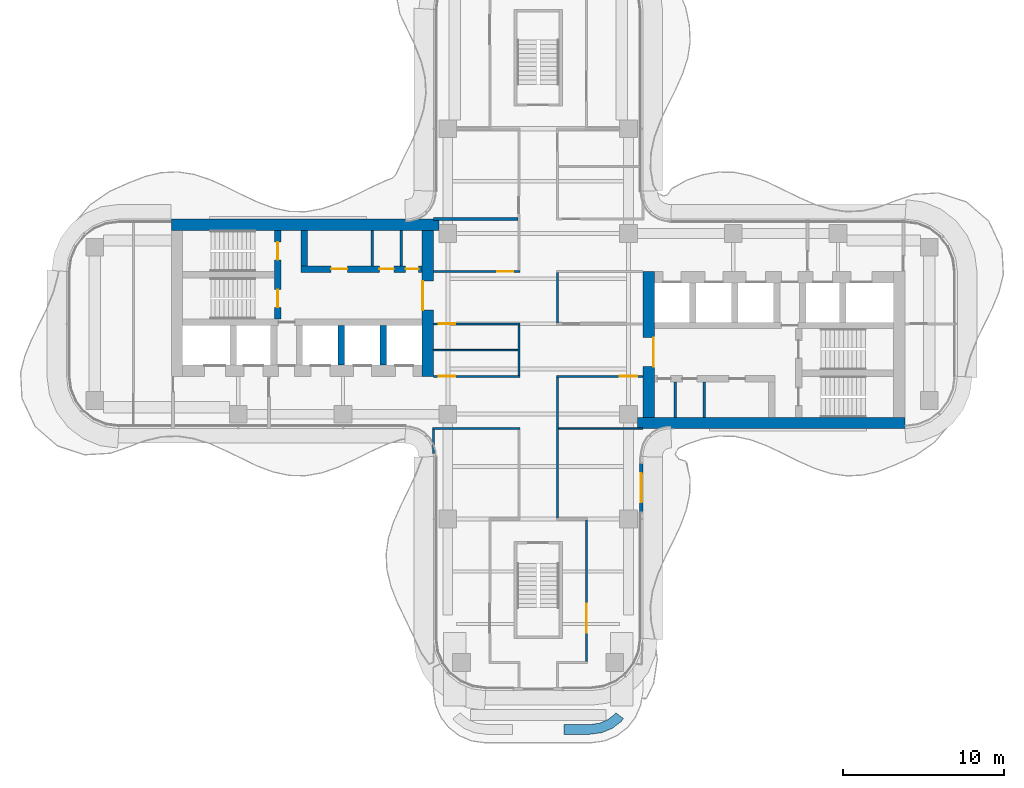
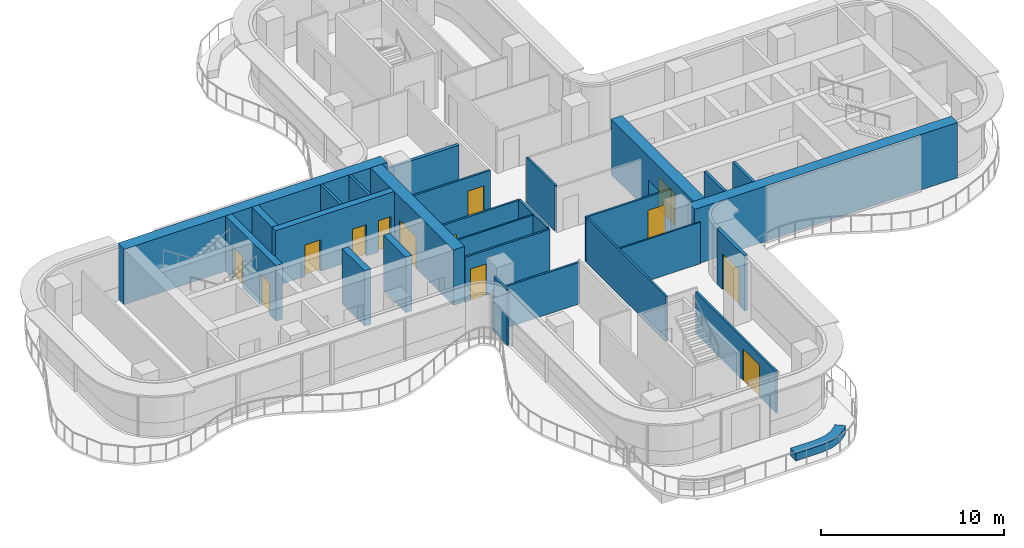
# One storey, part 13 of 17: 28 walls, 13 doors, 13 openings.
"""IFC4 building model written with IfcOpenShell, lengths in metres."""

from ifc_helpers import new_model, si_unit, direction, frame, frame_2d, origin, place, context, subcontext, project, spatial, polyline, rectangle, outline, extrude, source, transform, mapped, material, layer, layer_set, type_object, element, fill, save


model = new_model("IFC4")

# Units and contexts
model_context = context("Model", 3, precision=1e-05, world=origin(), true_north=direction((0.0, 1.0)))
body_context = subcontext(model_context, "Body", "Model", "MODEL_VIEW")
ifc_project = project(units=[si_unit("LENGTHUNIT", "METRE"), si_unit("AREAUNIT", "SQUARE_METRE"), si_unit("VOLUMEUNIT", "CUBIC_METRE"), si_unit("PLANEANGLEUNIT", "RADIAN"), si_unit("MASSUNIT", "GRAM", prefix="KILO")], contexts=[model_context])

# Site, building, storey
site_placement = place(None, origin())
site = spatial("IfcSite", under=ifc_project, at=site_placement, CompositionType="ELEMENT")
building_placement = place(site_placement, origin())
building = spatial("IfcBuilding", under=site, at=building_placement, Name="Trellis Farm Tower", CompositionType="ELEMENT")
storey_placement = place(building_placement, frame((0.0, 0.0, 244.10009765625)))
storey = spatial("IfcBuildingStorey", under=building, at=storey_placement, Name="L54", CompositionType="ELEMENT", Elevation=244.10009765625)

# Wall
ifc_material_1 = material(Name="Sandstone faced masonry planter", Category="masonry")
ifc_layer_1 = layer(ifc_material_1, 0.60009765625)
ifc_layer_set_1 = layer_set([ifc_layer_1], Name="PLANTER BED 600")
wall_type_1 = type_object("IfcWallType", Name="PLANTER BED 600", PredefinedType="USERDEFINED", material=ifc_layer_set_1)
wall_1_placement = place(storey_placement, origin())
element("IfcWall", 1, at=wall_1_placement, inside=storey, type_object=wall_type_1, Name="PLANTER bed", ObjectType="PLANTER", PredefinedType="USERDEFINED", context=body_context, shape_type="SweptSolid", body=[
    extrude(outline(polyline([(4.59765625, -25.084228515625), (3.947509765625, -25.353515625), (3.214111328125, -25.449951171875), (1.60009765625, -25.449951171875), (1.60009765625, -24.85009765625), (3.174560546875, -24.85009765625), (3.791015625, -24.768798828125), (4.294921875, -24.56005859375), (4.727783203125, -24.227783203125), (4.814697265625, -24.114990234375), (5.29052734375, -24.480224609375), (5.15576171875, -24.65576171875), (4.59765625, -25.084228515625)])), origin(), (0.0, 0.0, 1.0), 0.5),
])

# Wall, opening, door
ifc_material_2 = material(Name="Concrete C60/75", Category="concrete")
ifc_layer_2 = layer(ifc_material_2, 0.699951171875)
ifc_layer_set_2 = layer_set([ifc_layer_2], Name="CORE OUTER WALL 700 CONCRETE C60/75")
wall_type_2 = type_object("IfcWallType", Name="CORE OUTER WALL 700 CONCRETE C60/75", PredefinedType="SHEAR", material=ifc_layer_set_2)
shared_shape_1 = source(origin(), body_context, "Body", "SweptSolid", [
    extrude(rectangle(XDim=9.050048828125, YDim=0.699951171875, at=frame_2d((4.52490234375, 0.0))), origin(), (0.0, 0.0, 1.0), 3.699951171875),
])
wall_2_placement = place(storey_placement, frame((6.85009765625, -5.800048828125, 0.0), z_axis=(0.0, 0.0, 1.0), x_axis=(0.0, 1.0, 0.0)))
wall_2 = element("IfcWall", 2, at=wall_2_placement, inside=storey, type_object=wall_type_2, Name="Core wall", PredefinedType="SHEAR", context=body_context, shape_type="MappedRepresentation", body=[
    mapped(shared_shape_1, transform((0.0, 0.0, 0.0))),
])
shared_shape_2 = source(origin(), body_context, "Body", "SweptSolid", [
    extrude(rectangle(XDim=1.800048828125, YDim=2.10009765625, at=frame_2d((0.89990234375, 1.050048828125))), frame((0.0, 0.360107421875, 0.0), z_axis=(0.0, -1.0, 0.0), x_axis=(1.0, 0.0, 0.0)), (0.0, 0.0, 1.0), 0.72021484375),
])
opening_1_placement = place(wall_2_placement, frame((3.14990234375, 0.0, 0.0)))
opening_1 = element("IfcOpeningElement", 3, at=opening_1_placement, cuts=wall_2, Name="Opening DC1", PredefinedType="OPENING", context=body_context, shape_type="MappedRepresentation", body=[
    mapped(shared_shape_2, transform((0.0, 0.0, 0.0))),
])
ifc_material_3 = material(Name="Steel", Category="steel")
door_type_1 = type_object("IfcDoorType", Name="CORE FIRE DOOR DOUBLE 1800 X 2100", OperationType="DOUBLE_DOOR_SINGLE_SWING", PredefinedType="DOOR", material=ifc_material_3)
shared_shape_3 = source(origin(), body_context, "Body", "SweptSolid", [
    extrude(rectangle(XDim=1.800048828125, YDim=2.10009765625, at=frame_2d((0.89990234375, 1.050048828125))), frame((0.0, -0.27490234375, 0.0), z_axis=(0.0, -1.0, 0.0), x_axis=(1.0, 0.0, 0.0)), (0.0, 0.0, 1.0), 0.050048828125),
])
door_1_placement = place(opening_1_placement, origin())
door_1 = element("IfcDoor", 4, at=door_1_placement, inside=storey, type_object=door_type_1, Name="Core door", OperationType="DOUBLE_DOOR_SINGLE_SWING", OverallHeight=2.10009765625, OverallWidth=1.800048828125, PredefinedType="DOOR", context=body_context, shape_type="MappedRepresentation", body=[
    mapped(shared_shape_3, transform((0.0, 0.0, 0.0))),
])
fill(opening_1, door_1)

wall_3_placement = place(storey_placement, frame((-6.85009765625, 5.800048828125, 0.0), z_axis=(0.0, 0.0, 1.0), x_axis=(0.0, -1.0, 0.0)))
wall_3 = element("IfcWall", 5, at=wall_3_placement, inside=storey, type_object=wall_type_2, Name="Core wall", PredefinedType="SHEAR", context=body_context, shape_type="MappedRepresentation", body=[
    mapped(shared_shape_1, transform((0.0, 0.0, 0.0))),
])
opening_2_placement = place(wall_3_placement, frame((3.14990234375, 0.0, 0.0)))
opening_2 = element("IfcOpeningElement", 6, at=opening_2_placement, cuts=wall_3, Name="Opening DC87", PredefinedType="OPENING", context=body_context, shape_type="MappedRepresentation", body=[
    mapped(shared_shape_2, transform((0.0, 0.0, 0.0))),
])
door_2_placement = place(opening_2_placement, origin())
door_2 = element("IfcDoor", 7, at=door_2_placement, inside=storey, type_object=door_type_1, Name="Core door", OperationType="DOUBLE_DOOR_SINGLE_SWING", OverallHeight=2.10009765625, OverallWidth=1.800048828125, PredefinedType="DOOR", context=body_context, shape_type="MappedRepresentation", body=[
    mapped(shared_shape_3, transform((0.0, 0.0, 0.0))),
])
fill(opening_2, door_2)

# Walls
ifc_layer_3 = layer(ifc_material_2, 0.39990234375)
ifc_layer_set_3 = layer_set([ifc_layer_3], Name="CORE INNER WALL 400 CONCRETE C60/75")
wall_type_3 = type_object("IfcWallType", Name="CORE INNER WALL 400 CONCRETE C60/75", PredefinedType="SHEAR", material=ifc_layer_set_3)
shared_shape_4 = source(origin(), body_context, "Body", "SweptSolid", [
    extrude(rectangle(XDim=2.449951171875, YDim=0.39990234375, at=frame_2d((1.22509765625, 0.0))), origin(), (0.0, 0.0, 1.0), 3.699951171875),
])
for number, where, z_axis, x_axis, name in (
    (8, (-9.60009765625, -0.10009765625, 0.0), (0.0, 0.0, 1.0), (0.0, -1.0, 0.0), "Core wall"),
    (9, (-12.199951171875, -0.10009765625, 0.0), (0.0, 0.0, 1.0), (0.0, -1.0, 0.0), "Core wall"),
):
    element("IfcWall", number, at=place(storey_placement, frame(where, z_axis=z_axis, x_axis=x_axis)), inside=storey, type_object=wall_type_3, Name=name, PredefinedType="SHEAR", context=body_context, shape_type="MappedRepresentation", body=[
        mapped(shared_shape_4, transform((0.0, 0.0, 0.0))),
    ])

# Wall, openings, doors
shared_shape_5 = source(origin(), body_context, "Body", "SweptSolid", [
    extrude(rectangle(XDim=7.5, YDim=0.39990234375, at=frame_2d((3.75, 0.0))), origin(), (0.0, 0.0, 1.0), 3.699951171875),
])
wall_4_placement = place(storey_placement, frame((-7.199951171875, 3.39990234375, 0.0), z_axis=(0.0, 0.0, 1.0), x_axis=(-1.0, 0.0, 0.0)))
wall_4 = element("IfcWall", 10, at=wall_4_placement, inside=storey, type_object=wall_type_3, Name="Core wall", PredefinedType="SHEAR", context=body_context, shape_type="MappedRepresentation", body=[
    mapped(shared_shape_5, transform((0.0, 0.0, 0.0))),
])
shared_shape_6 = source(origin(), body_context, "Body", "SweptSolid", [
    extrude(rectangle(XDim=0.800048828125, YDim=2.10009765625, at=frame_2d((0.39990234375, 1.050048828125))), frame((0.0, 0.2099609375, 0.0), z_axis=(0.0, -1.0, 0.0), x_axis=(1.0, 0.0, 0.0)), (0.0, 0.0, 1.0), 0.419921875),
])
opening_3_placement = place(wall_4_placement, frame((0.21240234375, 0.0, 0.0)))
opening_3 = element("IfcOpeningElement", 11, at=opening_3_placement, cuts=wall_4, Name="Opening DC137", PredefinedType="OPENING", context=body_context, shape_type="MappedRepresentation", body=[
    mapped(shared_shape_6, transform((0.0, 0.0, 0.0))),
])
shared_shape_7 = source(origin(), body_context, "Body", "SweptSolid", [
    extrude(rectangle(XDim=0.89990234375, YDim=2.10009765625, at=frame_2d((0.449951171875, 1.050048828125))), frame((0.0, 0.2099609375, 0.0), z_axis=(0.0, -1.0, 0.0), x_axis=(1.0, 0.0, 0.0)), (0.0, 0.0, 1.0), 0.419921875),
])
opening_4_placement = place(wall_4_placement, frame((1.75, 0.0, 0.0)))
opening_4 = element("IfcOpeningElement", 12, at=opening_4_placement, cuts=wall_4, Name="Opening DC146", PredefinedType="OPENING", context=body_context, shape_type="MappedRepresentation", body=[
    mapped(shared_shape_7, transform((0.0, 0.0, 0.0))),
])
shared_shape_8 = source(origin(), body_context, "Body", "SweptSolid", [
    extrude(rectangle(XDim=1.0, YDim=2.10009765625, at=frame_2d((0.5, 1.050048828125))), frame((0.0, 0.2099609375, 0.0), z_axis=(0.0, -1.0, 0.0), x_axis=(1.0, 0.0, 0.0)), (0.0, 0.0, 1.0), 0.419921875),
])
opening_5_placement = place(wall_4_placement, frame((4.637451171875, 0.0, 0.0)))
opening_5 = element("IfcOpeningElement", 13, at=opening_5_placement, cuts=wall_4, Name="Opening DC153", PredefinedType="OPENING", context=body_context, shape_type="MappedRepresentation", body=[
    mapped(shared_shape_8, transform((0.0, 0.0, 0.0))),
])
door_type_2 = type_object("IfcDoorType", Name="CORE FIRE DOOR 1000 X 2100", OperationType="NOTDEFINED", PredefinedType="DOOR", material=ifc_material_3)
shared_shape_9 = source(origin(), body_context, "Body", "SweptSolid", [
    extrude(rectangle(XDim=1.0, YDim=2.10009765625, at=frame_2d((0.5, 1.050048828125))), frame((0.0, 0.02490234375, 0.0), z_axis=(0.0, -1.0, 0.0), x_axis=(1.0, 0.0, 0.0)), (0.0, 0.0, 1.0), 0.050048828125),
])
door_3_placement = place(opening_5_placement, origin())
door_3 = element("IfcDoor", 14, at=door_3_placement, inside=storey, type_object=door_type_2, Name="Core door", OperationType="SINGLE_SWING_LEFT", OverallHeight=2.10009765625, OverallWidth=1.0, PredefinedType="DOOR", context=body_context, shape_type="MappedRepresentation", body=[
    mapped(shared_shape_9, transform((0.0, 0.0, 0.0))),
])
fill(opening_5, door_3)
door_type_3 = type_object("IfcDoorType", Name="CORE FIRE DOOR 900 X 2100", OperationType="NOTDEFINED", PredefinedType="DOOR", material=ifc_material_3)
shared_shape_10 = source(origin(), body_context, "Body", "SweptSolid", [
    extrude(rectangle(XDim=0.89990234375, YDim=2.10009765625, at=frame_2d((0.449951171875, 1.050048828125))), frame((0.0, 0.02490234375, 0.0), z_axis=(0.0, -1.0, 0.0), x_axis=(1.0, 0.0, 0.0)), (0.0, 0.0, 1.0), 0.050048828125),
])
door_4_placement = place(opening_4_placement, origin())
door_4 = element("IfcDoor", 15, at=door_4_placement, inside=storey, type_object=door_type_3, Name="Core door", OperationType="SINGLE_SWING_RIGHT", OverallHeight=2.10009765625, OverallWidth=0.89990234375, PredefinedType="DOOR", context=body_context, shape_type="MappedRepresentation", body=[
    mapped(shared_shape_10, transform((0.0, 0.0, 0.0))),
])
fill(opening_4, door_4)
door_type_4 = type_object("IfcDoorType", Name="CORE FIRE DOOR 800 X 2100", OperationType="NOTDEFINED", PredefinedType="DOOR", material=ifc_material_3)
shared_shape_11 = source(origin(), body_context, "Body", "SweptSolid", [
    extrude(rectangle(XDim=0.800048828125, YDim=2.10009765625, at=frame_2d((0.39990234375, 1.050048828125))), frame((0.0, 0.02490234375, 0.0), z_axis=(0.0, -1.0, 0.0), x_axis=(1.0, 0.0, 0.0)), (0.0, 0.0, 1.0), 0.050048828125),
])
door_5_placement = place(opening_3_placement, origin())
door_5 = element("IfcDoor", 16, at=door_5_placement, inside=storey, type_object=door_type_4, Name="Core door", OperationType="SINGLE_SWING_LEFT", OverallHeight=2.10009765625, OverallWidth=0.800048828125, PredefinedType="DOOR", context=body_context, shape_type="MappedRepresentation", body=[
    mapped(shared_shape_11, transform((0.0, 0.0, 0.0))),
])
fill(opening_3, door_5)

shared_shape_12 = source(origin(), body_context, "Body", "SweptSolid", [
    extrude(rectangle(XDim=5.5, YDim=0.39990234375, at=frame_2d((2.75, 0.0))), origin(), (0.0, 0.0, 1.0), 3.699951171875),
])
wall_5_placement = place(storey_placement, frame((-16.14990234375, 5.800048828125, 0.0), z_axis=(0.0, 0.0, 1.0), x_axis=(0.0, -1.0, 0.0)))
wall_5 = element("IfcWall", 17, at=wall_5_placement, inside=storey, type_object=wall_type_3, Name="Core wall", PredefinedType="SHEAR", context=body_context, shape_type="MappedRepresentation", body=[
    mapped(shared_shape_12, transform((0.0, 0.0, 0.0))),
])
shared_shape_13 = source(origin(), body_context, "Body", "SweptSolid", [
    extrude(rectangle(XDim=1.10009765625, YDim=2.10009765625, at=frame_2d((0.550048828125, 1.050048828125))), frame((0.0, 0.2099609375, 0.0), z_axis=(0.0, -1.0, 0.0), x_axis=(1.0, 0.0, 0.0)), (0.0, 0.0, 1.0), 0.419921875),
])
opening_6_placement = place(wall_5_placement, frame((0.72509765625, 0.0, 0.0)))
opening_6 = element("IfcOpeningElement", 18, at=opening_6_placement, cuts=wall_5, Name="Opening DC88", PredefinedType="OPENING", context=body_context, shape_type="MappedRepresentation", body=[
    mapped(shared_shape_13, transform((0.0, 0.0, 0.0))),
])
opening_7_placement = place(wall_5_placement, frame((3.675048828125, 0.0, 0.0)))
opening_7 = element("IfcOpeningElement", 19, at=opening_7_placement, cuts=wall_5, Name="Opening DC89", PredefinedType="OPENING", context=body_context, shape_type="MappedRepresentation", body=[
    mapped(shared_shape_13, transform((0.0, 0.0, 0.0))),
])
door_type_5 = type_object("IfcDoorType", Name="CORE FIRE DOOR 1100 X 2100", OperationType="NOTDEFINED", PredefinedType="DOOR", material=ifc_material_3)
shared_shape_14 = source(origin(), body_context, "Body", "SweptSolid", [
    extrude(rectangle(XDim=1.10009765625, YDim=2.10009765625, at=frame_2d((0.550048828125, 1.050048828125))), frame((0.0, 0.02490234375, 0.0), z_axis=(0.0, -1.0, 0.0), x_axis=(1.0, 0.0, 0.0)), (0.0, 0.0, 1.0), 0.050048828125),
])
door_6_placement = place(opening_6_placement, origin())
door_6 = element("IfcDoor", 20, at=door_6_placement, inside=storey, type_object=door_type_5, Name="Core door", OperationType="SINGLE_SWING_RIGHT", OverallHeight=2.10009765625, OverallWidth=1.10009765625, PredefinedType="DOOR", context=body_context, shape_type="MappedRepresentation", body=[
    mapped(shared_shape_14, transform((0.0, 0.0, 0.0))),
])
fill(opening_6, door_6)
door_7_placement = place(opening_7_placement, origin())
door_7 = element("IfcDoor", 21, at=door_7_placement, inside=storey, type_object=door_type_5, Name="Core door", OperationType="SINGLE_SWING_LEFT", OverallHeight=2.10009765625, OverallWidth=1.10009765625, PredefinedType="DOOR", context=body_context, shape_type="MappedRepresentation", body=[
    mapped(shared_shape_14, transform((0.0, 0.0, 0.0))),
])
fill(opening_7, door_7)

# Walls
shared_shape_15 = source(origin(), body_context, "Body", "SweptSolid", [
    extrude(rectangle(XDim=2.199951171875, YDim=0.39990234375, at=frame_2d((1.10009765625, 0.0))), origin(), (0.0, 0.0, 1.0), 3.699951171875),
])
wall_6_placement = place(storey_placement, frame((-14.5, 5.800048828125, 0.0), z_axis=(0.0, 0.0, 1.0), x_axis=(0.0, -1.0, 0.0)))
element("IfcWall", 22, at=wall_6_placement, inside=storey, type_object=wall_type_3, Name="Core wall", PredefinedType="SHEAR", context=body_context, shape_type="MappedRepresentation", body=[
    mapped(shared_shape_15, transform((0.0, 0.0, 0.0))),
])
ifc_material_4 = material(Name="Masonry blockwork", Category="masonry")
ifc_layer_4 = layer(ifc_material_4, 0.14990234375)
ifc_layer_set_4 = layer_set([ifc_layer_4], Name="CORE PARTITION 150 BLOCKWORK")
wall_type_4 = type_object("IfcWallType", Name="CORE PARTITION 150 BLOCKWORK", PredefinedType="PARTITIONING", material=ifc_layer_set_4)
shared_shape_16 = source(origin(), body_context, "Body", "SweptSolid", [
    extrude(rectangle(XDim=2.199951171875, YDim=0.14990234375, at=frame_2d((1.10009765625, 0.0))), origin(), (0.0, 0.0, 1.0), 3.699951171875),
])
for number, where, z_axis, x_axis, name in (
    (23, (8.5, -5.800048828125, 0.0), (0.0, 0.0, 1.0), (0.0, 1.0, 0.0), "Core room partition"),
    (24, (10.300048828125, -5.800048828125, 0.0), (0.0, 0.0, 1.0), (0.0, 1.0, 0.0), "Core room partition"),
    (25, (-8.5, 5.800048828125, 0.0), (0.0, 0.0, 1.0), (0.0, -1.0, 0.0), "Core room partition"),
    (26, (-10.300048828125, 5.800048828125, 0.0), (0.0, 0.0, 1.0), (0.0, -1.0, 0.0), "Core room partition"),
):
    element("IfcWall", number, at=place(storey_placement, frame(where, z_axis=z_axis, x_axis=x_axis)), inside=storey, type_object=wall_type_4, Name=name, PredefinedType="PARTITIONING", context=body_context, shape_type="MappedRepresentation", body=[
        mapped(shared_shape_16, transform((0.0, 0.0, 0.0))),
    ])
shared_shape_17 = source(origin(), body_context, "Body", "SweptSolid", [
    extrude(rectangle(XDim=16.60009765625, YDim=0.699951171875, at=frame_2d((8.300048828125, 0.0))), origin(), (0.0, 0.0, 1.0), 3.699951171875),
])
for number, where, z_axis, x_axis, name in (
    (27, (6.14990234375, -6.14990234375, 0.0), (0.0, 0.0, 1.0), (1.0, 0.0, 0.0), "Core wall"),
    (28, (-6.14990234375, 6.14990234375, 0.0), (0.0, 0.0, 1.0), (-1.0, 0.0, 0.0), "Core wall"),
):
    element("IfcWall", number, at=place(storey_placement, frame(where, z_axis=z_axis, x_axis=x_axis)), inside=storey, type_object=wall_type_2, Name=name, PredefinedType="SHEAR", context=body_context, shape_type="MappedRepresentation", body=[
        mapped(shared_shape_17, transform((0.0, 0.0, 0.0))),
    ])

# Wall, opening, door
ifc_material_5 = material(Name="Sandstone faced insulated wall", Category="masonry")
ifc_layer_5 = layer(ifc_material_5, 0.199951171875)
ifc_layer_set_5 = layer_set([ifc_layer_5], Name="EXTERNAL INFILL WALL 200")
wall_type_5 = type_object("IfcWallType", Name="EXTERNAL INFILL WALL 200", PredefinedType="SOLIDWALL", material=ifc_layer_set_5)
shared_shape_18 = source(origin(), body_context, "Body", "SweptSolid", [
    extrude(rectangle(XDim=3.0, YDim=0.199951171875, at=frame_2d((1.5, 0.0))), origin(), (0.0, 0.0, 1.0), 3.699951171875),
])
wall_7_placement = place(storey_placement, frame((6.39990234375, -11.665771484375, 0.0), z_axis=(0.0, 0.0, 1.0), x_axis=(0.0, 1.0, 0.0)))
wall_7 = element("IfcWall", 29, at=wall_7_placement, inside=storey, type_object=wall_type_5, Name="EW1 02", PredefinedType="SOLIDWALL", context=body_context, shape_type="MappedRepresentation", body=[
    mapped(shared_shape_18, transform((0.0, 0.0, 0.0))),
])
shared_shape_19 = source(origin(), body_context, "Body", "SweptSolid", [
    extrude(rectangle(XDim=1.800048828125, YDim=2.39990234375, at=frame_2d((0.89990234375, 1.199951171875))), frame((0.0, 0.110107421875, 0.0), z_axis=(0.0, -1.0, 0.0), x_axis=(1.0, 0.0, 0.0)), (0.0, 0.0, 1.0), 0.22021484375),
])
opening_8_placement = place(wall_7_placement, frame((0.60009765625, 0.0, 0.0)))
opening_8 = element("IfcOpeningElement", 30, at=opening_8_placement, cuts=wall_7, Name="Opening ED1", PredefinedType="OPENING", context=body_context, shape_type="MappedRepresentation", body=[
    mapped(shared_shape_19, transform((0.0, 0.0, 0.0))),
])
ifc_material_6 = material(Name="Aluminium framed glazed door", Category="aluminium")
door_type_6 = type_object("IfcDoorType", Name="BALCONY DOOR 1800x2400", OperationType="DOUBLE_DOOR_SINGLE_SWING", PredefinedType="DOOR", material=ifc_material_6)
shared_shape_20 = source(origin(), body_context, "Body", "SweptSolid", [
    extrude(rectangle(XDim=1.800048828125, YDim=2.39990234375, at=frame_2d((0.89990234375, 1.199951171875))), frame((0.0, 0.02490234375, 0.0), z_axis=(0.0, -1.0, 0.0), x_axis=(1.0, 0.0, 0.0)), (0.0, 0.0, 1.0), 0.050048828125),
])
door_8_placement = place(opening_8_placement, origin())
door_8 = element("IfcDoor", 31, at=door_8_placement, inside=storey, type_object=door_type_6, Name="Balcony door", OperationType="DOUBLE_DOOR_SINGLE_SWING", OverallHeight=2.39990234375, OverallWidth=1.800048828125, PredefinedType="DOOR", context=body_context, shape_type="MappedRepresentation", body=[
    mapped(shared_shape_20, transform((0.0, 0.0, 0.0))),
])
fill(opening_8, door_8)

# Wall
ifc_material_7 = material(Name="Plasterboard on steel studs, mineral wool", Category="steel")
ifc_layer_6 = layer(ifc_material_7, 0.125)
ifc_layer_set_6 = layer_set([ifc_layer_6], Name="PARTITION 125 STUD EI 60")
wall_type_6 = type_object("IfcWallType", Name="PARTITION 125 STUD EI 60", PredefinedType="PARTITIONING", material=ifc_layer_set_6)
shared_shape_21 = source(origin(), body_context, "Body", "SweptSolid", [
    extrude(rectangle(XDim=1.468994140625, YDim=0.125, at=frame_2d((0.734375, 0.0))), origin(), (0.0, 0.0, 1.0), 3.699951171875),
])
wall_8_placement = place(storey_placement, frame((-6.5, -6.5625, 0.0), z_axis=(0.0, 0.0, 1.0), x_axis=(0.0, -1.0, 0.0)))
element("IfcWall", 32, at=wall_8_placement, inside=storey, type_object=wall_type_6, Name="Partition PW1", PredefinedType="PARTITIONING", context=body_context, shape_type="MappedRepresentation", body=[
    mapped(shared_shape_21, transform((0.0, 0.0, 0.0))),
])

# Wall, opening, door
shared_shape_22 = source(origin(), body_context, "Body", "SweptSolid", [
    extrude(rectangle(XDim=5.362548828125, YDim=0.125, at=frame_2d((2.68115234375, 0.0))), origin(), (0.0, 0.0, 1.0), 2.99658203125),
])
wall_9_placement = place(storey_placement, frame((-1.137451171875, -3.25, 0.0), z_axis=(0.0, 0.0, 1.0), x_axis=(-1.0, 0.0, 0.0)))
wall_9 = element("IfcWall", 33, at=wall_9_placement, inside=storey, type_object=wall_type_6, Name="Partition PW1", PredefinedType="PARTITIONING", context=body_context, shape_type="MappedRepresentation", body=[
    mapped(shared_shape_22, transform((0.0, 0.0, 0.0))),
])
shared_shape_23 = source(origin(), body_context, "Body", "SweptSolid", [
    extrude(rectangle(XDim=1.0, YDim=2.10009765625, at=frame_2d((0.5, 1.050048828125))), frame((0.0, 0.072509765625, 0.0), z_axis=(0.0, -1.0, 0.0), x_axis=(1.0, 0.0, 0.0)), (0.0, 0.0, 1.0), 0.14501953125),
])
opening_9_placement = place(wall_9_placement, frame((4.012451171875, 0.0, 0.0)))
opening_9 = element("IfcOpeningElement", 34, at=opening_9_placement, cuts=wall_9, Name="Opening D101", PredefinedType="OPENING", context=body_context, shape_type="MappedRepresentation", body=[
    mapped(shared_shape_23, transform((0.0, 0.0, 0.0))),
])
ifc_material_8 = material(Name="Fire-rated timber door leaf in a hollow metal frame", Category="wood")
door_type_7 = type_object("IfcDoorType", Name="DOOR 1000x2100 FD30S", OperationType="NOTDEFINED", PredefinedType="DOOR", material=ifc_material_8)
door_9_placement = place(opening_9_placement, origin())
door_9 = element("IfcDoor", 35, at=door_9_placement, inside=storey, type_object=door_type_7, Name="Door D101", OperationType="SINGLE_SWING_RIGHT", OverallHeight=2.10009765625, OverallWidth=1.0, PredefinedType="DOOR", context=body_context, shape_type="MappedRepresentation", body=[
    mapped(shared_shape_9, transform((0.0, 0.0, 0.0))),
])
fill(opening_9, door_9)

wall_10_placement = place(storey_placement, frame((6.5, -3.25, 0.0), z_axis=(0.0, 0.0, 1.0), x_axis=(-1.0, 0.0, 0.0)))
wall_10 = element("IfcWall", 36, at=wall_10_placement, inside=storey, type_object=wall_type_6, Name="Partition PW1", PredefinedType="PARTITIONING", context=body_context, shape_type="MappedRepresentation", body=[
    mapped(shared_shape_22, transform((0.0, 0.0, 0.0))),
])
shared_shape_24 = source(origin(), body_context, "Body", "SweptSolid", [
    extrude(rectangle(XDim=1.10009765625, YDim=2.10009765625, at=frame_2d((0.550048828125, 1.050048828125))), frame((0.0, 0.072509765625, 0.0), z_axis=(0.0, -1.0, 0.0), x_axis=(1.0, 0.0, 0.0)), (0.0, 0.0, 1.0), 0.14501953125),
])
opening_10_placement = place(wall_10_placement, frame((0.35009765625, 0.0, 0.0)))
opening_10 = element("IfcOpeningElement", 37, at=opening_10_placement, cuts=wall_10, Name="Opening D501", PredefinedType="OPENING", context=body_context, shape_type="MappedRepresentation", body=[
    mapped(shared_shape_24, transform((0.0, 0.0, 0.0))),
])
door_type_8 = type_object("IfcDoorType", Name="DOOR 1100x2100 FD30S", OperationType="NOTDEFINED", PredefinedType="DOOR", material=ifc_material_8)
door_10_placement = place(opening_10_placement, origin())
door_10 = element("IfcDoor", 38, at=door_10_placement, inside=storey, type_object=door_type_8, Name="Door D501", OperationType="SINGLE_SWING_LEFT", OverallHeight=2.10009765625, OverallWidth=1.10009765625, PredefinedType="DOOR", context=body_context, shape_type="MappedRepresentation", body=[
    mapped(shared_shape_14, transform((0.0, 0.0, 0.0))),
])
fill(opening_10, door_10)

wall_11_placement = place(storey_placement, frame((-1.137451171875, 0.0, 0.0), z_axis=(0.0, 0.0, 1.0), x_axis=(-1.0, 0.0, 0.0)))
wall_11 = element("IfcWall", 39, at=wall_11_placement, inside=storey, type_object=wall_type_6, Name="Partition PW1", PredefinedType="PARTITIONING", context=body_context, shape_type="MappedRepresentation", body=[
    mapped(shared_shape_22, transform((0.0, 0.0, 0.0))),
])
opening_11_placement = place(wall_11_placement, frame((4.012451171875, 0.0, 0.0)))
opening_11 = element("IfcOpeningElement", 40, at=opening_11_placement, cuts=wall_11, Name="Opening D102", PredefinedType="OPENING", context=body_context, shape_type="MappedRepresentation", body=[
    mapped(shared_shape_23, transform((0.0, 0.0, 0.0))),
])
door_11_placement = place(opening_11_placement, origin())
door_11 = element("IfcDoor", 41, at=door_11_placement, inside=storey, type_object=door_type_7, Name="Door D102", OperationType="SINGLE_SWING_RIGHT", OverallHeight=2.10009765625, OverallWidth=1.0, PredefinedType="DOOR", context=body_context, shape_type="MappedRepresentation", body=[
    mapped(shared_shape_9, transform((0.0, 0.0, 0.0))),
])
fill(opening_11, door_11)

wall_12_placement = place(storey_placement, frame((-6.5, 3.25, 0.0), z_axis=(0.0, 0.0, 1.0), x_axis=(1.0, 0.0, 0.0)))
wall_12 = element("IfcWall", 42, at=wall_12_placement, inside=storey, type_object=wall_type_6, Name="Partition PW1", PredefinedType="PARTITIONING", context=body_context, shape_type="MappedRepresentation", body=[
    mapped(shared_shape_22, transform((0.0, 0.0, 0.0))),
])
opening_12_placement = place(wall_12_placement, frame((3.949951171875, 0.0, 0.0)))
opening_12 = element("IfcOpeningElement", 43, at=opening_12_placement, cuts=wall_12, Name="Opening D301", PredefinedType="OPENING", context=body_context, shape_type="MappedRepresentation", body=[
    mapped(shared_shape_23, transform((0.0, 0.0, 0.0))),
])
door_type_9 = type_object("IfcDoorType", Name="DOOR 1000x2100 FD60", OperationType="NOTDEFINED", PredefinedType="DOOR", material=ifc_material_8)
door_12_placement = place(opening_12_placement, origin())
door_12 = element("IfcDoor", 44, at=door_12_placement, inside=storey, type_object=door_type_9, Name="Door D301", OperationType="SINGLE_SWING_RIGHT", OverallHeight=2.10009765625, OverallWidth=1.0, PredefinedType="DOOR", context=body_context, shape_type="MappedRepresentation", body=[
    mapped(shared_shape_9, transform((0.0, 0.0, 0.0))),
])
fill(opening_12, door_12)

# Walls
ifc_material_9 = material(Name="Plasterboard on steel studs", Category="steel")
ifc_layer_7 = layer(ifc_material_9, 0.10009765625)
ifc_layer_set_7 = layer_set([ifc_layer_7], Name="PARTITION 100 STUD EI 30")
wall_type_7 = type_object("IfcWallType", Name="PARTITION 100 STUD EI 30", PredefinedType="PARTITIONING", material=ifc_layer_set_7)
shared_shape_25 = source(origin(), body_context, "Body", "SweptSolid", [
    extrude(rectangle(XDim=5.237548828125, YDim=0.10009765625, at=frame_2d((2.61865234375, 0.0))), origin(), (0.0, 0.0, 1.0), 2.99658203125),
])
wall_13_placement = place(storey_placement, frame((-6.5, -1.625, 0.0), z_axis=(0.0, 0.0, 1.0), x_axis=(1.0, 0.0, 0.0)))
element("IfcWall", 45, at=wall_13_placement, inside=storey, type_object=wall_type_7, Name="Partition PW2", PredefinedType="PARTITIONING", context=body_context, shape_type="MappedRepresentation", body=[
    mapped(shared_shape_25, transform((0.0, 0.0, 0.0))),
])
shared_shape_26 = source(origin(), body_context, "Body", "SweptSolid", [
    extrude(rectangle(XDim=8.72509765625, YDim=0.125, at=frame_2d((4.362548828125, 0.0))), origin(), (0.0, 0.0, 1.0), 2.99658203125),
])
wall_14_placement = place(storey_placement, frame((1.199951171875, -3.3125, 0.0), z_axis=(0.0, 0.0, 1.0), x_axis=(0.0, -1.0, 0.0)))
element("IfcWall", 46, at=wall_14_placement, inside=storey, type_object=wall_type_6, Name="Partition PW1", PredefinedType="PARTITIONING", context=body_context, shape_type="MappedRepresentation", body=[
    mapped(shared_shape_26, transform((0.0, 0.0, 0.0))),
])
shared_shape_27 = source(origin(), body_context, "Body", "SweptSolid", [
    extrude(rectangle(XDim=3.125, YDim=0.125, at=frame_2d((1.5625, 0.0))), origin(), (0.0, 0.0, 1.0), 3.067626953125),
])
for number, where, z_axis, x_axis, name in (
    (47, (-1.199951171875, -0.0625, 0.0), (0.0, 0.0, 1.0), (0.0, -1.0, 0.0), "Partition PW1"),
    (48, (1.199951171875, 3.1875, 0.0), (0.0, 0.0, 1.0), (0.0, -1.0, 0.0), "Partition PW1"),
):
    element("IfcWall", number, at=place(storey_placement, frame(where, z_axis=z_axis, x_axis=x_axis)), inside=storey, type_object=wall_type_6, Name=name, PredefinedType="PARTITIONING", context=body_context, shape_type="MappedRepresentation", body=[
        mapped(shared_shape_27, transform((0.0, 0.0, 0.0))),
    ])
shared_shape_28 = source(origin(), body_context, "Body", "SweptSolid", [
    extrude(rectangle(XDim=5.425048828125, YDim=0.125, at=frame_2d((2.71240234375, 0.0))), origin(), (0.0, 0.0, 1.0), 2.77978515625),
])
wall_15_placement = place(storey_placement, frame((-1.137451171875, -6.5, 0.0), z_axis=(0.0, 0.0, 1.0), x_axis=(-1.0, 0.0, 0.0)))
element("IfcWall", 49, at=wall_15_placement, inside=storey, type_object=wall_type_6, Name="Partition PW1", PredefinedType="PARTITIONING", context=body_context, shape_type="MappedRepresentation", body=[
    mapped(shared_shape_28, transform((0.0, 0.0, 0.0))),
])
shared_shape_29 = source(origin(), body_context, "Body", "SweptSolid", [
    extrude(rectangle(XDim=5.237548828125, YDim=0.10009765625, at=frame_2d((2.61865234375, 0.0))), origin(), (0.0, 0.0, 1.0), 2.77978515625),
])
wall_16_placement = place(storey_placement, frame((1.262451171875, -6.5, 0.0), z_axis=(0.0, 0.0, 1.0), x_axis=(1.0, 0.0, 0.0)))
element("IfcWall", 50, at=wall_16_placement, inside=storey, type_object=wall_type_7, Name="Partition PW2", PredefinedType="PARTITIONING", context=body_context, shape_type="MappedRepresentation", body=[
    mapped(shared_shape_29, transform((0.0, 0.0, 0.0))),
])

# Wall, opening, door
shared_shape_30 = source(origin(), body_context, "Body", "SweptSolid", [
    extrude(rectangle(XDim=8.77490234375, YDim=0.125, at=frame_2d((4.387451171875, 0.0))), origin(), (0.0, 0.0, 1.0), 2.77978515625),
])
wall_17_placement = place(storey_placement, frame((3.0, -12.16259765625, 0.0), z_axis=(0.0, 0.0, 1.0), x_axis=(0.0, -1.0, 0.0)))
wall_17 = element("IfcWall", 51, at=wall_17_placement, inside=storey, type_object=wall_type_6, Name="Partition PW1", PredefinedType="PARTITIONING", context=body_context, shape_type="MappedRepresentation", body=[
    mapped(shared_shape_30, transform((0.0, 0.0, 0.0))),
])
shared_shape_31 = source(origin(), body_context, "Body", "SweptSolid", [
    extrude(rectangle(XDim=1.800048828125, YDim=2.10009765625, at=frame_2d((0.89990234375, 1.050048828125))), frame((0.0, 0.072509765625, 0.0), z_axis=(0.0, -1.0, 0.0), x_axis=(1.0, 0.0, 0.0)), (0.0, 0.0, 1.0), 0.14501953125),
])
opening_13_placement = place(wall_17_placement, frame((5.1875, 0.0, 0.0)))
opening_13 = element("IfcOpeningElement", 52, at=opening_13_placement, cuts=wall_17, Name="Opening D202", PredefinedType="OPENING", context=body_context, shape_type="MappedRepresentation", body=[
    mapped(shared_shape_31, transform((0.0, 0.0, 0.0))),
])
door_type_10 = type_object("IfcDoorType", Name="DOOR PAIR 1800x2100 FD30S", OperationType="NOTDEFINED", PredefinedType="DOOR", material=ifc_material_8)
shared_shape_32 = source(origin(), body_context, "Body", "SweptSolid", [
    extrude(rectangle(XDim=1.800048828125, YDim=2.10009765625, at=frame_2d((0.89990234375, 1.050048828125))), frame((0.0, 0.02490234375, 0.0), z_axis=(0.0, -1.0, 0.0), x_axis=(1.0, 0.0, 0.0)), (0.0, 0.0, 1.0), 0.050048828125),
])
door_13_placement = place(opening_13_placement, origin())
door_13 = element("IfcDoor", 53, at=door_13_placement, inside=storey, type_object=door_type_10, Name="Door D202", OperationType="DOUBLE_DOOR_SINGLE_SWING", OverallHeight=2.10009765625, OverallWidth=1.800048828125, PredefinedType="DOOR", context=body_context, shape_type="MappedRepresentation", body=[
    mapped(shared_shape_32, transform((0.0, 0.0, 0.0))),
])
fill(opening_13, door_13)

# Wall
ifc_material_10 = material(Name="Lightweight blockwork, plastered", Category="masonry")
ifc_layer_8 = layer(ifc_material_10, 0.199951171875)
ifc_layer_set_8 = layer_set([ifc_layer_8], Name="BLOCK WALL 200 EI 120")
wall_type_8 = type_object("IfcWallType", Name="BLOCK WALL 200 EI 120", PredefinedType="PARTITIONING", material=ifc_layer_set_8)
shared_shape_33 = source(origin(), body_context, "Body", "SweptSolid", [
    extrude(rectangle(XDim=5.237548828125, YDim=0.199951171875, at=frame_2d((2.61865234375, 0.0))), origin(), (0.0, 0.0, 1.0), 2.77978515625),
])
wall_18_placement = place(storey_placement, frame((-6.5, 6.5, 0.0), z_axis=(0.0, 0.0, 1.0), x_axis=(1.0, 0.0, 0.0)))
element("IfcWall", 54, at=wall_18_placement, inside=storey, type_object=wall_type_8, Name="Partition PW3", PredefinedType="PARTITIONING", context=body_context, shape_type="MappedRepresentation", body=[
    mapped(shared_shape_33, transform((0.0, 0.0, 0.0))),
])

save(model, "model.ifc")
